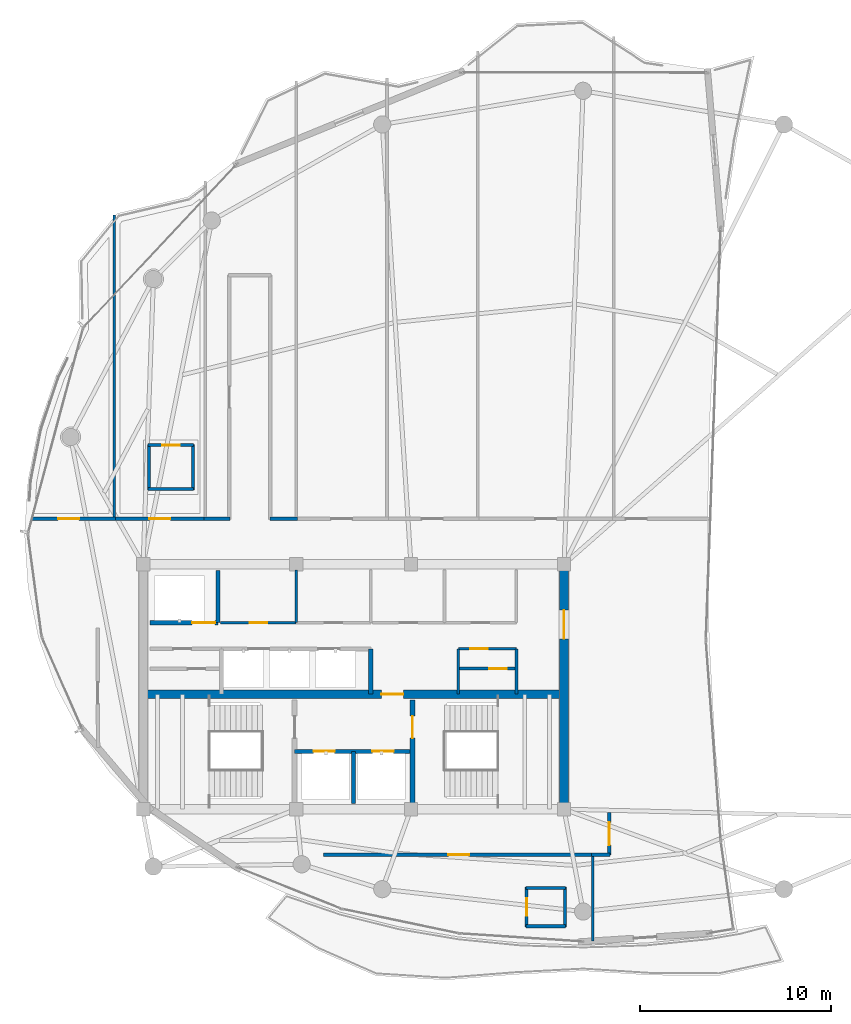
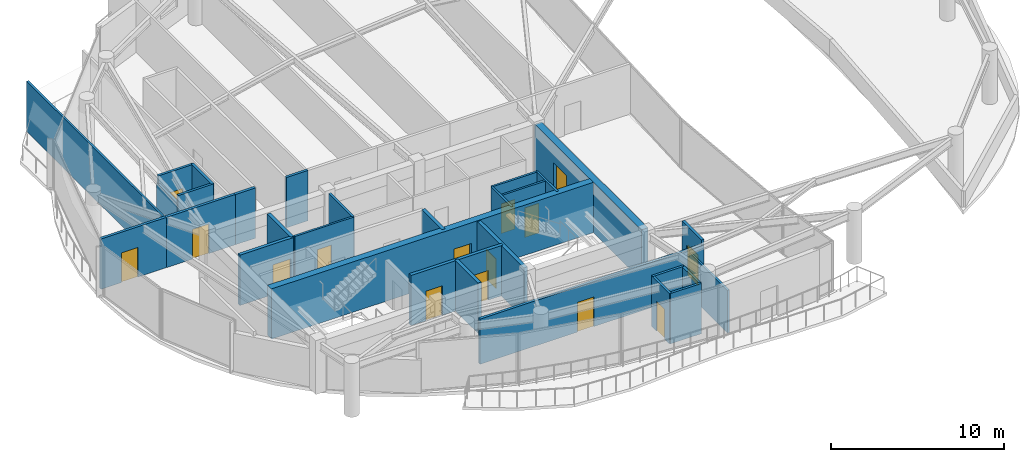
# One storey, part 19 of 23: 31 walls, 15 doors, 15 openings.
"""IFC4 building model written with IfcOpenShell, lengths in metres."""

from ifc_helpers import new_model, si_unit, direction, frame, frame_2d, origin, place, context, subcontext, project, spatial, rectangle, extrude, material, layer, layer_set, type_object, element, fill, save


model = new_model("IFC4")

# Units and contexts
model_context = context("Model", 3, precision=1e-05, world=origin(), true_north=direction((0.0, 1.0)))
body_context = subcontext(model_context, "Body", "Model", "MODEL_VIEW")
ifc_project = project(units=[si_unit("LENGTHUNIT", "METRE"), si_unit("AREAUNIT", "SQUARE_METRE"), si_unit("VOLUMEUNIT", "CUBIC_METRE"), si_unit("PLANEANGLEUNIT", "RADIAN"), si_unit("MASSUNIT", "GRAM", prefix="KILO")], contexts=[model_context])

# Site, building, storey
site_placement = place(None, origin())
site = spatial("IfcSite", under=ifc_project, at=site_placement, CompositionType="ELEMENT")
building_placement = place(site_placement, origin())
building = spatial("IfcBuilding", under=site, at=building_placement, Name="Kazevale Care Tower and Concert Hall", CompositionType="ELEMENT")
storey_placement = place(building_placement, frame((0.0, 0.0, 266.199951171875)))
storey = spatial("IfcBuildingStorey", under=building, at=storey_placement, Name="L70", CompositionType="ELEMENT", Elevation=266.199951171875)

# Wall, opening, door
ifc_material_1 = material(Name="Acoustic Gypsum on Steel Stud", Category="steel")
ifc_layer_1 = layer(ifc_material_1, 0.139892578125)
ifc_layer_set_1 = layer_set([ifc_layer_1], Name="Acoustic Gypsum on Steel Stud")
wall_type_1 = type_object("IfcWallType", Name="Acoustic Care & Suite Partition 140", PredefinedType="PARTITIONING", material=ifc_layer_set_1)
wall_1_placement = place(storey_placement, frame((26.050048828125, 33.35009765625, 0.0), z_axis=(0.0, 0.0, 1.0), x_axis=(1.0, 0.0, 0.0)))
wall_1 = element("IfcWall", 1, at=wall_1_placement, inside=storey, type_object=wall_type_1, Name="wall:L70:c_rpl1_s", PredefinedType="PARTITIONING", context=body_context, shape_type="SweptSolid", body=[
    extrude(rectangle(XDim=3.949951171875, YDim=0.139892578125, at=frame_2d((1.97509765625, 0.0))), origin(), (0.0, 0.0, 1.0), 3.56005859375),
])
opening_1_placement = place(wall_1_placement, frame((1.514892578125, 0.0, 0.0)))
opening_1 = element("IfcOpeningElement", 2, at=opening_1_placement, cuts=wall_1, Name="Opening ID-900", PredefinedType="OPENING", context=body_context, shape_type="SweptSolid", body=[
    extrude(rectangle(XDim=0.919921875, YDim=2.10009765625, at=frame_2d((0.4599609375, 1.050048828125))), frame((0.0, 0.079833984375, 0.0), z_axis=(0.0, -1.0, 0.0), x_axis=(1.0, 0.0, 0.0)), (0.0, 0.0, 1.0), 0.159912109375),
])
ifc_material_2 = material(Name="Oak Timber Fire Leaf", Category="wood")
door_type_1 = type_object("IfcDoorType", Name="Bathroom & Service Door 920x2100", OperationType="NOTDEFINED", PredefinedType="DOOR", material=ifc_material_2)
door_1_placement = place(opening_1_placement, origin())
door_1 = element("IfcDoor", 3, at=door_1_placement, inside=storey, type_object=door_type_1, Name="door:L70:d_rpl1", OperationType="SINGLE_SWING_LEFT", OverallHeight=2.10009765625, OverallWidth=0.919921875, PredefinedType="DOOR", context=body_context, shape_type="SweptSolid", body=[
    extrude(rectangle(XDim=0.919921875, YDim=2.10009765625, at=frame_2d((0.4599609375, 1.050048828125))), frame((0.0, 0.02490234375, 0.0), z_axis=(0.0, -1.0, 0.0), x_axis=(1.0, 0.0, 0.0)), (0.0, 0.0, 1.0), 0.050048828125),
])
fill(opening_1, door_1)

# Walls
wall_2_placement = place(storey_placement, frame((30.0, 33.35009765625, 0.0), z_axis=(0.0, 0.0, 1.0), x_axis=(0.0, 1.0, 0.0)))
element("IfcWall", 4, at=wall_2_placement, inside=storey, type_object=wall_type_1, Name="wall:L70:c_rpl_m", PredefinedType="PARTITIONING", context=body_context, shape_type="SweptSolid", body=[
    extrude(rectangle(XDim=2.75, YDim=0.139892578125, at=frame_2d((1.375, 0.0))), origin(), (0.0, 0.0, 1.0), 3.56005859375),
])
for number, where, z_axis, x_axis, name in (
    (5, (38.47998046875, 29.6201171875, 0.0), (0.0, 0.0, 1.0), (0.0, 1.0, 0.0), "wall:L70:kc_ew"),
    (6, (41.52001953125, 29.6201171875, 0.0), (0.0, 0.0, 1.0), (0.0, 1.0, 0.0), "wall:L70:kc_ee"),
):
    element("IfcWall", number, at=place(storey_placement, frame(where, z_axis=z_axis, x_axis=x_axis)), inside=storey, type_object=wall_type_1, Name=name, PredefinedType="PARTITIONING", context=body_context, shape_type="SweptSolid", body=[
        extrude(rectangle(XDim=2.35986328125, YDim=0.139892578125, at=frame_2d((1.179931640625, 0.0))), origin(), (0.0, 0.0, 1.0), 3.56005859375),
    ])

# Wall, opening, door
wall_3_placement = place(storey_placement, frame((38.47998046875, 30.949951171875, 0.0), z_axis=(0.0, 0.0, 1.0), x_axis=(1.0, 0.0, 0.0)))
wall_3 = element("IfcWall", 7, at=wall_3_placement, inside=storey, type_object=wall_type_1, Name="wall:L70:kc_em", PredefinedType="PARTITIONING", context=body_context, shape_type="SweptSolid", body=[
    extrude(rectangle(XDim=3.0400390625, YDim=0.139892578125, at=frame_2d((1.52001953125, 0.0))), origin(), (0.0, 0.0, 1.0), 3.56005859375),
])
opening_2_placement = place(wall_3_placement, frame((1.616943359375, 0.0, 0.0)))
opening_2 = element("IfcOpeningElement", 8, at=opening_2_placement, cuts=wall_3, Name="Opening ID-900", PredefinedType="OPENING", context=body_context, shape_type="SweptSolid", body=[
    extrude(rectangle(XDim=0.919921875, YDim=2.10009765625, at=frame_2d((0.4599609375, 1.050048828125))), frame((0.0, 0.079833984375, 0.0), z_axis=(0.0, -1.0, 0.0), x_axis=(1.0, 0.0, 0.0)), (0.0, 0.0, 1.0), 0.159912109375),
])
door_2_placement = place(opening_2_placement, origin())
door_2 = element("IfcDoor", 9, at=door_2_placement, inside=storey, type_object=door_type_1, Name="door:L70:d_kceb", OperationType="SINGLE_SWING_RIGHT", OverallHeight=2.10009765625, OverallWidth=0.919921875, PredefinedType="DOOR", context=body_context, shape_type="SweptSolid", body=[
    extrude(rectangle(XDim=0.919921875, YDim=2.10009765625, at=frame_2d((0.4599609375, 1.050048828125))), frame((0.0, 0.02490234375, 0.0), z_axis=(0.0, -1.0, 0.0), x_axis=(1.0, 0.0, 0.0)), (0.0, 0.0, 1.0), 0.050048828125),
])
fill(opening_2, door_2)

wall_4_placement = place(storey_placement, frame((38.47998046875, 31.97998046875, 0.0), z_axis=(0.0, 0.0, 1.0), x_axis=(1.0, 0.0, 0.0)))
wall_4 = element("IfcWall", 10, at=wall_4_placement, inside=storey, type_object=wall_type_1, Name="wall:L70:kc_en", PredefinedType="PARTITIONING", context=body_context, shape_type="SweptSolid", body=[
    extrude(rectangle(XDim=3.0400390625, YDim=0.139892578125, at=frame_2d((1.52001953125, 0.0))), origin(), (0.0, 0.0, 1.0), 3.56005859375),
])
opening_3_placement = place(wall_4_placement, frame((0.614013671875, 0.0, 0.0)))
opening_3 = element("IfcOpeningElement", 11, at=opening_3_placement, cuts=wall_4, Name="Opening ID-900", PredefinedType="OPENING", context=body_context, shape_type="SweptSolid", body=[
    extrude(rectangle(XDim=0.919921875, YDim=2.10009765625, at=frame_2d((0.4599609375, 1.050048828125))), frame((0.0, 0.079833984375, 0.0), z_axis=(0.0, -1.0, 0.0), x_axis=(1.0, 0.0, 0.0)), (0.0, 0.0, 1.0), 0.159912109375),
])
door_3_placement = place(opening_3_placement, origin())
door_3 = element("IfcDoor", 12, at=door_3_placement, inside=storey, type_object=door_type_1, Name="door:L70:d_kcet", OperationType="SINGLE_SWING_LEFT", OverallHeight=2.10009765625, OverallWidth=0.919921875, PredefinedType="DOOR", context=body_context, shape_type="SweptSolid", body=[
    extrude(rectangle(XDim=0.919921875, YDim=2.10009765625, at=frame_2d((0.4599609375, 1.050048828125))), frame((0.0, 0.02490234375, 0.0), z_axis=(0.0, -1.0, 0.0), x_axis=(1.0, 0.0, 0.0)), (0.0, 0.0, 1.0), 0.050048828125),
])
fill(opening_3, door_3)

# Walls
wall_5_placement = place(storey_placement, frame((20.5, 54.659912109375, 0.0), z_axis=(0.0, 0.0, 1.0), x_axis=(0.0, -1.0, 0.0)))
element("IfcWall", 13, at=wall_5_placement, inside=storey, type_object=wall_type_1, Name="wall:L70:auto_016", PredefinedType="PARTITIONING", context=body_context, shape_type="SweptSolid", body=[
    extrude(rectangle(XDim=15.914794921875, YDim=0.139892578125, at=frame_2d((7.95751953125, 0.0))), origin(), (0.0, 0.0, 1.0), 3.56005859375),
])
wall_6_placement = place(storey_placement, frame((45.5, 21.2548828125, 0.0), z_axis=(0.0, 0.0, 1.0), x_axis=(0.0, -1.0, 0.0)))
element("IfcWall", 14, at=wall_6_placement, inside=storey, type_object=wall_type_1, Name="wall:L70:auto_022", PredefinedType="PARTITIONING", context=body_context, shape_type="SweptSolid", body=[
    extrude(rectangle(XDim=4.532470703125, YDim=0.139892578125, at=frame_2d((2.26611328125, 0.0))), origin(), (0.0, 0.0, 1.0), 3.006103515625),
])

# Wall, opening, door
ifc_material_3 = material(Name="Concrete C50", Category="concrete")
ifc_layer_2 = layer(ifc_material_3, 0.449951171875)
ifc_layer_set_2 = layer_set([ifc_layer_2], Name="Concrete C50")
wall_type_2 = type_object("IfcWallType", Name="Core Shear Wall 450 C50", PredefinedType="SHEAR", material=ifc_layer_set_2)
wall_7_placement = place(storey_placement, frame((44.0, 23.824951171875, 0.0), z_axis=(0.0, 0.0, 1.0), x_axis=(0.0, 1.0, 0.0)))
wall_7 = element("IfcWall", 15, at=wall_7_placement, inside=storey, type_object=wall_type_2, Name="wall:L70:core:E", PredefinedType="SHEAR", context=body_context, shape_type="SweptSolid", body=[
    extrude(rectangle(XDim=12.35009765625, YDim=0.449951171875, at=frame_2d((6.175048828125, 0.0))), origin(), (0.0, 0.0, 1.0), 3.56005859375),
])
opening_4_placement = place(wall_7_placement, frame((8.675048828125, 0.0, 0.0)))
opening_4 = element("IfcOpeningElement", 16, at=opening_4_placement, cuts=wall_7, Name="Opening FD-60D", PredefinedType="OPENING", context=body_context, shape_type="SweptSolid", body=[
    extrude(rectangle(XDim=1.5, YDim=2.14990234375, at=frame_2d((0.75, 1.074951171875))), frame((0.0, 0.23486328125, 0.0), z_axis=(0.0, -1.0, 0.0), x_axis=(1.0, 0.0, 0.0)), (0.0, 0.0, 1.0), 0.469970703125),
])
door_type_2 = type_object("IfcDoorType", Name="Double Lobby & Auditorium Fire Door 1500x2150", OperationType="NOTDEFINED", PredefinedType="DOOR", material=ifc_material_2)
door_4_placement = place(opening_4_placement, origin())
door_4 = element("IfcDoor", 17, at=door_4_placement, inside=storey, type_object=door_type_2, Name="door:L70:core_east_out", OperationType="DOUBLE_DOOR_SINGLE_SWING", OverallHeight=2.14990234375, OverallWidth=1.5, PredefinedType="DOOR", context=body_context, shape_type="SweptSolid", body=[
    extrude(rectangle(XDim=1.5, YDim=2.14990234375, at=frame_2d((0.75, 1.074951171875))), frame((0.0, 0.02490234375, 0.0), z_axis=(0.0, -1.0, 0.0), x_axis=(1.0, 0.0, 0.0)), (0.0, 0.0, 1.0), 0.050048828125),
])
fill(opening_4, door_4)

wall_8_placement = place(storey_placement, frame((22.22509765625, 29.60009765625, 0.0), z_axis=(0.0, 0.0, 1.0), x_axis=(1.0, 0.0, 0.0)))
wall_8 = element("IfcWall", 18, at=wall_8_placement, inside=storey, type_object=wall_type_2, Name="wall:L70:core:M", PredefinedType="SHEAR", context=body_context, shape_type="SweptSolid", body=[
    extrude(rectangle(XDim=21.5498046875, YDim=0.449951171875, at=frame_2d((10.77490234375, 0.0))), origin(), (0.0, 0.0, 1.0), 3.56005859375),
])
opening_5_placement = place(wall_8_placement, frame((12.22509765625, 0.0, 0.0)))
opening_5 = element("IfcOpeningElement", 19, at=opening_5_placement, cuts=wall_8, Name="Opening FD-90", PredefinedType="OPENING", context=body_context, shape_type="SweptSolid", body=[
    extrude(rectangle(XDim=1.14990234375, YDim=2.10009765625, at=frame_2d((0.574951171875, 1.050048828125))), frame((0.0, 0.23486328125, 0.0), z_axis=(0.0, -1.0, 0.0), x_axis=(1.0, 0.0, 0.0)), (0.0, 0.0, 1.0), 0.469970703125),
])
ifc_material_4 = material(Name="Steel ASTM A572 Gr 50", Category="steel")
door_type_3 = type_object("IfcDoorType", Name="Pressurized Stair & Lobby Fire Door 1150x2100", OperationType="NOTDEFINED", PredefinedType="DOOR", material=ifc_material_4)
door_5_placement = place(opening_5_placement, origin())
door_5 = element("IfcDoor", 20, at=door_5_placement, inside=storey, type_object=door_type_3, Name="door:L70:ff_to_pax", OperationType="SINGLE_SWING_LEFT", OverallHeight=2.10009765625, OverallWidth=1.14990234375, PredefinedType="DOOR", context=body_context, shape_type="SweptSolid", body=[
    extrude(rectangle(XDim=1.14990234375, YDim=2.10009765625, at=frame_2d((0.574951171875, 1.050048828125))), frame((0.0, 0.02490234375, 0.0), z_axis=(0.0, -1.0, 0.0), x_axis=(1.0, 0.0, 0.0)), (0.0, 0.0, 1.0), 0.050048828125),
])
fill(opening_5, door_5)

# Wall, openings, doors
ifc_material_5 = material(Name="Concrete C40", Category="concrete")
ifc_layer_3 = layer(ifc_material_5, 0.219970703125)
ifc_layer_set_3 = layer_set([ifc_layer_3], Name="Concrete C40")
wall_type_3 = type_object("IfcWallType", Name="Elevator Hoistway Shaft Wall 220", PredefinedType="SOLIDWALL", material=ifc_layer_set_3)
wall_9_placement = place(storey_placement, frame((29.919921875, 26.6201171875, 0.0), z_axis=(0.0, 0.0, 1.0), x_axis=(1.0, 0.0, 0.0)))
wall_9 = element("IfcWall", 21, at=wall_9_placement, inside=storey, type_object=wall_type_3, Name="wall:L70:c_ffl_n", PredefinedType="SOLIDWALL", context=body_context, shape_type="SweptSolid", body=[
    extrude(rectangle(XDim=6.16015625, YDim=0.219970703125, at=frame_2d((3.080078125, 0.0))), origin(), (0.0, 0.0, 1.0), 3.56005859375),
])
opening_6_placement = place(wall_9_placement, frame((0.989990234375, 0.0, 0.0)))
opening_6 = element("IfcOpeningElement", 22, at=opening_6_placement, cuts=wall_9, Name="Opening LD-FF", PredefinedType="OPENING", context=body_context, shape_type="SweptSolid", body=[
    extrude(rectangle(XDim=1.10009765625, YDim=2.10009765625, at=frame_2d((0.550048828125, 1.050048828125))), frame((0.0, 0.119873046875, 0.0), z_axis=(0.0, -1.0, 0.0), x_axis=(1.0, 0.0, 0.0)), (0.0, 0.0, 1.0), 0.239990234375),
])
opening_7_placement = place(wall_9_placement, frame((4.070068359375, 0.0, 0.0)))
opening_7 = element("IfcOpeningElement", 23, at=opening_7_placement, cuts=wall_9, Name="Opening LD-FF", PredefinedType="OPENING", context=body_context, shape_type="SweptSolid", body=[
    extrude(rectangle(XDim=1.10009765625, YDim=2.10009765625, at=frame_2d((0.550048828125, 1.050048828125))), frame((0.0, 0.119873046875, 0.0), z_axis=(0.0, -1.0, 0.0), x_axis=(1.0, 0.0, 0.0)), (0.0, 0.0, 1.0), 0.239990234375),
])
ifc_material_6 = material(Name="Stainless Steel 316", Category="steel")
door_type_4 = type_object("IfcDoorType", Name="Emergency Lift Sliding Landing Door 1100x2100", OperationType="NOTDEFINED", PredefinedType="DOOR", material=ifc_material_6)
door_6_placement = place(opening_6_placement, origin())
door_6 = element("IfcDoor", 24, at=door_6_placement, inside=storey, type_object=door_type_4, Name="door:L70:ld_ffl1", OperationType="SLIDING_TO_LEFT", OverallHeight=2.10009765625, OverallWidth=1.10009765625, PredefinedType="DOOR", context=body_context, shape_type="SweptSolid", body=[
    extrude(rectangle(XDim=1.10009765625, YDim=2.10009765625, at=frame_2d((0.550048828125, 1.050048828125))), frame((0.0, 0.02490234375, 0.0), z_axis=(0.0, -1.0, 0.0), x_axis=(1.0, 0.0, 0.0)), (0.0, 0.0, 1.0), 0.050048828125),
])
fill(opening_6, door_6)
door_7_placement = place(opening_7_placement, origin())
door_7 = element("IfcDoor", 25, at=door_7_placement, inside=storey, type_object=door_type_4, Name="door:L70:ld_ffl2", OperationType="SLIDING_TO_RIGHT", OverallHeight=2.10009765625, OverallWidth=1.10009765625, PredefinedType="DOOR", context=body_context, shape_type="SweptSolid", body=[
    extrude(rectangle(XDim=1.10009765625, YDim=2.10009765625, at=frame_2d((0.550048828125, 1.050048828125))), frame((0.0, 0.02490234375, 0.0), z_axis=(0.0, -1.0, 0.0), x_axis=(1.0, 0.0, 0.0)), (0.0, 0.0, 1.0), 0.050048828125),
])
fill(opening_7, door_7)

# Walls
wall_10_placement = place(storey_placement, frame((33.0, 23.89990234375, 0.0), z_axis=(0.0, 0.0, 1.0), x_axis=(0.0, 1.0, 0.0)))
element("IfcWall", 26, at=wall_10_placement, inside=storey, type_object=wall_type_3, Name="wall:L70:c_ffl_m", PredefinedType="SOLIDWALL", context=body_context, shape_type="SweptSolid", body=[
    extrude(rectangle(XDim=2.72021484375, YDim=0.219970703125, at=frame_2d((1.360107421875, 0.0))), origin(), (0.0, 0.0, 1.0), 3.56005859375),
])
wall_11_placement = place(storey_placement, frame((25.919921875, 33.35009765625, 0.0), z_axis=(0.0, 0.0, 1.0), x_axis=(0.0, 1.0, 0.0)))
element("IfcWall", 27, at=wall_11_placement, inside=storey, type_object=wall_type_3, Name="wall:L70:c_svl_e", PredefinedType="SOLIDWALL", context=body_context, shape_type="SweptSolid", body=[
    extrude(rectangle(XDim=2.72998046875, YDim=0.219970703125, at=frame_2d((1.364990234375, 0.0))), origin(), (0.0, 0.0, 1.0), 3.56005859375),
])

# Wall, opening, door
wall_12_placement = place(storey_placement, frame((22.35009765625, 33.35009765625, 0.0), z_axis=(0.0, 0.0, 1.0), x_axis=(1.0, 0.0, 0.0)))
wall_12 = element("IfcWall", 28, at=wall_12_placement, inside=storey, type_object=wall_type_3, Name="wall:L70:c_svl_s", PredefinedType="SOLIDWALL", context=body_context, shape_type="SweptSolid", body=[
    extrude(rectangle(XDim=3.56982421875, YDim=0.219970703125, at=frame_2d((1.784912109375, 0.0))), origin(), (0.0, 0.0, 1.0), 3.56005859375),
])
opening_8_placement = place(wall_12_placement, frame((2.212890625, 0.0, 0.0)))
opening_8 = element("IfcOpeningElement", 29, at=opening_8_placement, cuts=wall_12, Name="Opening LD-SV", PredefinedType="OPENING", context=body_context, shape_type="SweptSolid", body=[
    extrude(rectangle(XDim=1.199951171875, YDim=2.10009765625, at=frame_2d((0.60009765625, 1.050048828125))), frame((0.0, 0.119873046875, 0.0), z_axis=(0.0, -1.0, 0.0), x_axis=(1.0, 0.0, 0.0)), (0.0, 0.0, 1.0), 0.239990234375),
])
door_type_5 = type_object("IfcDoorType", Name="Service Lift Sliding Landing Door 1200x2100", OperationType="NOTDEFINED", PredefinedType="DOOR", material=ifc_material_6)
door_8_placement = place(opening_8_placement, origin())
door_8 = element("IfcDoor", 30, at=door_8_placement, inside=storey, type_object=door_type_5, Name="door:L70:ld_svl1", OperationType="SLIDING_TO_LEFT", OverallHeight=2.10009765625, OverallWidth=1.199951171875, PredefinedType="DOOR", context=body_context, shape_type="SweptSolid", body=[
    extrude(rectangle(XDim=1.199951171875, YDim=2.10009765625, at=frame_2d((0.60009765625, 1.050048828125))), frame((0.0, 0.02490234375, 0.0), z_axis=(0.0, -1.0, 0.0), x_axis=(1.0, 0.0, 0.0)), (0.0, 0.0, 1.0), 0.050048828125),
])
fill(opening_8, door_8)

# Wall
wall_13_placement = place(storey_placement, frame((33.89990234375, 29.6201171875, 0.0), z_axis=(0.0, 0.0, 1.0), x_axis=(0.0, 1.0, 0.0)))
element("IfcWall", 31, at=wall_13_placement, inside=storey, type_object=wall_type_3, Name="wall:L70:c_ph_e", PredefinedType="SOLIDWALL", context=body_context, shape_type="SweptSolid", body=[
    extrude(rectangle(XDim=2.35986328125, YDim=0.219970703125, at=frame_2d((1.179931640625, 0.0))), origin(), (0.0, 0.0, 1.0), 3.56005859375),
])

# Wall, opening, door
ifc_material_7 = material(Name="Concrete C40 and Acoustic Gypsum", Category="concrete")
ifc_layer_4 = layer(ifc_material_7, 0.179931640625)
ifc_layer_set_4 = layer_set([ifc_layer_4], Name="Concrete C40 and Acoustic Gypsum")
wall_type_4 = type_object("IfcWallType", Name="Fire-Rated Corridor & Party Wall 180", PredefinedType="PARTITIONING", material=ifc_layer_set_4)
wall_14_placement = place(storey_placement, frame((16.1982421875, 38.77490234375, 0.0), z_axis=(0.0, 0.0, 1.0), x_axis=(1.0, 0.0, 0.0)))
wall_14 = element("IfcWall", 32, at=wall_14_placement, inside=storey, type_object=wall_type_4, Name="wall:L70:auto_001", PredefinedType="PARTITIONING", context=body_context, shape_type="SweptSolid", body=[
    extrude(rectangle(XDim=4.36669921875, YDim=0.179931640625, at=frame_2d((2.183349609375, 0.0))), origin(), (0.0, 0.0, 1.0), 3.56005859375),
])
opening_9_placement = place(wall_14_placement, frame((1.360107421875, 0.0, 0.0)))
opening_9 = element("IfcOpeningElement", 33, at=opening_9_placement, cuts=wall_14, Name="Opening ID-1100", PredefinedType="OPENING", context=body_context, shape_type="SweptSolid", body=[
    extrude(rectangle(XDim=1.10009765625, YDim=2.10009765625, at=frame_2d((0.550048828125, 1.050048828125))), frame((0.0, 0.099853515625, 0.0), z_axis=(0.0, -1.0, 0.0), x_axis=(1.0, 0.0, 0.0)), (0.0, 0.0, 1.0), 0.199951171875),
])
door_type_6 = type_object("IfcDoorType", Name="Care Bedroom Accessible Door 1100x2100", OperationType="NOTDEFINED", PredefinedType="DOOR", material=ifc_material_2)
door_9_placement = place(opening_9_placement, origin())
door_9 = element("IfcDoor", 34, at=door_9_placement, inside=storey, type_object=door_type_6, Name="door:L70:ad_001", OperationType="SINGLE_SWING_LEFT", OverallHeight=2.10009765625, OverallWidth=1.10009765625, PredefinedType="DOOR", context=body_context, shape_type="SweptSolid", body=[
    extrude(rectangle(XDim=1.10009765625, YDim=2.10009765625, at=frame_2d((0.550048828125, 1.050048828125))), frame((0.0, 0.02490234375, 0.0), z_axis=(0.0, -1.0, 0.0), x_axis=(1.0, 0.0, 0.0)), (0.0, 0.0, 1.0), 0.050048828125),
])
fill(opening_9, door_9)

wall_15_placement = place(storey_placement, frame((20.43505859375, 38.77490234375, 0.0), z_axis=(0.0, 0.0, 1.0), x_axis=(1.0, 0.0, 0.0)))
wall_15 = element("IfcWall", 35, at=wall_15_placement, inside=storey, type_object=wall_type_4, Name="wall:L70:auto_002", PredefinedType="PARTITIONING", context=body_context, shape_type="SweptSolid", body=[
    extrude(rectangle(XDim=4.8798828125, YDim=0.179931640625, at=frame_2d((2.43994140625, 0.0))), origin(), (0.0, 0.0, 1.0), 3.56005859375),
])
opening_10_placement = place(wall_15_placement, frame((1.889892578125, 0.0, 0.0)))
opening_10 = element("IfcOpeningElement", 36, at=opening_10_placement, cuts=wall_15, Name="Opening ID-1100", PredefinedType="OPENING", context=body_context, shape_type="SweptSolid", body=[
    extrude(rectangle(XDim=1.10009765625, YDim=2.10009765625, at=frame_2d((0.550048828125, 1.050048828125))), frame((0.0, 0.099853515625, 0.0), z_axis=(0.0, -1.0, 0.0), x_axis=(1.0, 0.0, 0.0)), (0.0, 0.0, 1.0), 0.199951171875),
])
door_10_placement = place(opening_10_placement, origin())
door_10 = element("IfcDoor", 37, at=door_10_placement, inside=storey, type_object=door_type_6, Name="door:L70:ad_002", OperationType="SINGLE_SWING_LEFT", OverallHeight=2.10009765625, OverallWidth=1.10009765625, PredefinedType="DOOR", context=body_context, shape_type="SweptSolid", body=[
    extrude(rectangle(XDim=1.10009765625, YDim=2.10009765625, at=frame_2d((0.550048828125, 1.050048828125))), frame((0.0, 0.02490234375, 0.0), z_axis=(0.0, -1.0, 0.0), x_axis=(1.0, 0.0, 0.0)), (0.0, 0.0, 1.0), 0.050048828125),
])
fill(opening_10, door_10)

# Walls
wall_16_placement = place(storey_placement, frame((28.6201171875, 38.77490234375, 0.0), z_axis=(0.0, 0.0, 1.0), x_axis=(1.0, 0.0, 0.0)))
element("IfcWall", 38, at=wall_16_placement, inside=storey, type_object=wall_type_4, Name="wall:L70:auto_006", PredefinedType="PARTITIONING", context=body_context, shape_type="SweptSolid", body=[
    extrude(rectangle(XDim=1.44482421875, YDim=0.179931640625, at=frame_2d((0.722412109375, 0.0))), origin(), (0.0, 0.0, 1.0), 3.56005859375),
])
wall_17_placement = place(storey_placement, frame((25.18505859375, 38.77490234375, 0.0), z_axis=(0.0, 0.0, 1.0), x_axis=(1.0, 0.0, 0.0)))
element("IfcWall", 39, at=wall_17_placement, inside=storey, type_object=wall_type_4, Name="wall:L70:auto_007", PredefinedType="PARTITIONING", context=body_context, shape_type="SweptSolid", body=[
    extrude(rectangle(XDim=1.344970703125, YDim=0.179931640625, at=frame_2d((0.67236328125, 0.0))), origin(), (0.0, 0.0, 1.0), 3.56005859375),
])

# Wall, opening, door
wall_18_placement = place(storey_placement, frame((45.56494140625, 21.22509765625, 0.0), z_axis=(0.0, 0.0, 1.0), x_axis=(-1.0, 0.0, 0.0)))
wall_18 = element("IfcWall", 40, at=wall_18_placement, inside=storey, type_object=wall_type_4, Name="wall:L70:auto_012", PredefinedType="PARTITIONING", context=body_context, shape_type="SweptSolid", body=[
    extrude(rectangle(XDim=14.1298828125, YDim=0.179931640625, at=frame_2d((7.06494140625, 0.0))), origin(), (0.0, 0.0, 1.0), 3.196044921875),
])
opening_11_placement = place(wall_18_placement, frame((6.514892578125, 0.0, 0.0)))
opening_11 = element("IfcOpeningElement", 41, at=opening_11_placement, cuts=wall_18, Name="Opening ID-1100", PredefinedType="OPENING", context=body_context, shape_type="SweptSolid", body=[
    extrude(rectangle(XDim=1.10009765625, YDim=2.10009765625, at=frame_2d((0.550048828125, 1.050048828125))), frame((0.0, 0.099853515625, 0.0), z_axis=(0.0, -1.0, 0.0), x_axis=(1.0, 0.0, 0.0)), (0.0, 0.0, 1.0), 0.199951171875),
])
door_11_placement = place(opening_11_placement, origin())
door_11 = element("IfcDoor", 42, at=door_11_placement, inside=storey, type_object=door_type_6, Name="door:L70:ad_012", OperationType="SINGLE_SWING_LEFT", OverallHeight=2.10009765625, OverallWidth=1.10009765625, PredefinedType="DOOR", context=body_context, shape_type="SweptSolid", body=[
    extrude(rectangle(XDim=1.10009765625, YDim=2.10009765625, at=frame_2d((0.550048828125, 1.050048828125))), frame((0.0, 0.02490234375, 0.0), z_axis=(0.0, -1.0, 0.0), x_axis=(1.0, 0.0, 0.0)), (0.0, 0.0, 1.0), 0.050048828125),
])
fill(opening_11, door_11)

wall_19_placement = place(storey_placement, frame((46.375, 23.43994140625, 0.0), z_axis=(0.0, 0.0, 1.0), x_axis=(0.0, -1.0, 0.0)))
wall_19 = element("IfcWall", 43, at=wall_19_placement, inside=storey, type_object=wall_type_4, Name="wall:L70:auto_013", PredefinedType="PARTITIONING", context=body_context, shape_type="SweptSolid", body=[
    extrude(rectangle(XDim=2.244873046875, YDim=0.179931640625, at=frame_2d((1.12255859375, 0.0))), origin(), (0.0, 0.0, 1.0), 3.56005859375),
])
opening_12_placement = place(wall_19_placement, frame((0.52294921875, 0.0, 0.0)))
opening_12 = element("IfcOpeningElement", 44, at=opening_12_placement, cuts=wall_19, Name="Opening ID-1200", PredefinedType="OPENING", context=body_context, shape_type="SweptSolid", body=[
    extrude(rectangle(XDim=1.199951171875, YDim=2.14990234375, at=frame_2d((0.60009765625, 1.074951171875))), frame((0.0, 0.099853515625, 0.0), z_axis=(0.0, -1.0, 0.0), x_axis=(1.0, 0.0, 0.0)), (0.0, 0.0, 1.0), 0.199951171875),
])
door_type_7 = type_object("IfcDoorType", Name="Clinical & Therapy Door 1200x2150", OperationType="NOTDEFINED", PredefinedType="DOOR", material=ifc_material_2)
door_12_placement = place(opening_12_placement, origin())
door_12 = element("IfcDoor", 45, at=door_12_placement, inside=storey, type_object=door_type_7, Name="door:L70:ad_013", OperationType="SINGLE_SWING_LEFT", OverallHeight=2.14990234375, OverallWidth=1.199951171875, PredefinedType="DOOR", context=body_context, shape_type="SweptSolid", body=[
    extrude(rectangle(XDim=1.199951171875, YDim=2.14990234375, at=frame_2d((0.60009765625, 1.074951171875))), frame((0.0, 0.02490234375, 0.0), z_axis=(0.0, -1.0, 0.0), x_axis=(1.0, 0.0, 0.0)), (0.0, 0.0, 1.0), 0.050048828125),
])
fill(opening_12, door_12)

# Walls
wall_20_placement = place(storey_placement, frame((46.405029296875, 21.22509765625, 0.0), z_axis=(0.0, 0.0, 1.0), x_axis=(-1.0, 0.0, 0.0)))
element("IfcWall", 46, at=wall_20_placement, inside=storey, type_object=wall_type_4, Name="wall:L70:auto_014", PredefinedType="PARTITIONING", context=body_context, shape_type="SweptSolid", body=[
    extrude(rectangle(XDim=0.969970703125, YDim=0.179931640625, at=frame_2d((0.48486328125, 0.0))), origin(), (0.0, 0.0, 1.0), 3.196044921875),
])
ifc_layer_5 = layer(ifc_material_1, 0.159912109375)
ifc_layer_set_5 = layer_set([ifc_layer_5], Name="Acoustic Gypsum on Steel Stud")
wall_type_5 = type_object("IfcWallType", Name="Moisture-Resistant Bathroom Plumbing Wall 160", PredefinedType="PLUMBINGWALL", material=ifc_layer_set_5)
wall_21_placement = place(storey_placement, frame((22.260009765625, 40.324951171875, 0.0), z_axis=(0.0, 0.0, 1.0), x_axis=(1.0, 0.0, 0.0)))
element("IfcWall", 47, at=wall_21_placement, inside=storey, type_object=wall_type_5, Name="wall:L70:nb2a_ens_ws", PredefinedType="PLUMBINGWALL", context=body_context, shape_type="SweptSolid", body=[
    extrude(rectangle(XDim=2.3798828125, YDim=0.159912109375, at=frame_2d((1.18994140625, 0.0))), origin(), (0.0, 0.0, 1.0), 3.56005859375),
])

# Wall, opening, door
wall_22_placement = place(storey_placement, frame((22.260009765625, 42.625, 0.0), z_axis=(0.0, 0.0, 1.0), x_axis=(1.0, 0.0, 0.0)))
wall_22 = element("IfcWall", 48, at=wall_22_placement, inside=storey, type_object=wall_type_5, Name="wall:L70:nb2a_ens_wn", PredefinedType="PLUMBINGWALL", context=body_context, shape_type="SweptSolid", body=[
    extrude(rectangle(XDim=2.3798828125, YDim=0.159912109375, at=frame_2d((1.18994140625, 0.0))), origin(), (0.0, 0.0, 1.0), 3.56005859375),
])
opening_13_placement = place(wall_22_placement, frame((0.739990234375, 0.0, 0.0)))
opening_13 = element("IfcOpeningElement", 49, at=opening_13_placement, cuts=wall_22, Name="Opening ID-900", PredefinedType="OPENING", context=body_context, shape_type="SweptSolid", body=[
    extrude(rectangle(XDim=0.919921875, YDim=2.10009765625, at=frame_2d((0.4599609375, 1.050048828125))), frame((0.0, 0.08984375, 0.0), z_axis=(0.0, -1.0, 0.0), x_axis=(1.0, 0.0, 0.0)), (0.0, 0.0, 1.0), 0.179931640625),
])
door_13_placement = place(opening_13_placement, origin())
door_13 = element("IfcDoor", 50, at=door_13_placement, inside=storey, type_object=door_type_1, Name="door:L70:nb2a_ens_d", OperationType="SINGLE_SWING_RIGHT", OverallHeight=2.10009765625, OverallWidth=0.919921875, PredefinedType="DOOR", context=body_context, shape_type="SweptSolid", body=[
    extrude(rectangle(XDim=0.919921875, YDim=2.10009765625, at=frame_2d((0.4599609375, 1.050048828125))), frame((0.0, 0.02490234375, 0.0), z_axis=(0.0, -1.0, 0.0), x_axis=(1.0, 0.0, 0.0)), (0.0, 0.0, 1.0), 0.050048828125),
])
fill(opening_13, door_13)

# Walls
wall_23_placement = place(storey_placement, frame((22.300048828125, 40.284912109375, 0.0), z_axis=(0.0, 0.0, 1.0), x_axis=(0.0, 1.0, 0.0)))
element("IfcWall", 51, at=wall_23_placement, inside=storey, type_object=wall_type_5, Name="wall:L70:nb2a_ens_ww", PredefinedType="PLUMBINGWALL", context=body_context, shape_type="SweptSolid", body=[
    extrude(rectangle(XDim=2.380126953125, YDim=0.159912109375, at=frame_2d((1.18994140625, 0.0))), origin(), (0.0, 0.0, 1.0), 3.006103515625),
])
wall_24_placement = place(storey_placement, frame((24.60009765625, 40.284912109375, 0.0), z_axis=(0.0, 0.0, 1.0), x_axis=(0.0, 1.0, 0.0)))
element("IfcWall", 52, at=wall_24_placement, inside=storey, type_object=wall_type_5, Name="wall:L70:nb2a_ens_we", PredefinedType="PLUMBINGWALL", context=body_context, shape_type="SweptSolid", body=[
    extrude(rectangle(XDim=2.380126953125, YDim=0.159912109375, at=frame_2d((1.18994140625, 0.0))), origin(), (0.0, 0.0, 1.0), 3.56005859375),
])
for number, where, z_axis, x_axis, name in (
    (53, (42.010009765625, 17.48193359375, 0.0), (0.0, 0.0, 1.0), (1.0, 0.0, 0.0), "wall:L70:sb2_ens_ws"),
    (54, (42.010009765625, 19.48193359375, 0.0), (0.0, 0.0, 1.0), (1.0, 0.0, 0.0), "wall:L70:sb2_ens_wn"),
):
    element("IfcWall", number, at=place(storey_placement, frame(where, z_axis=z_axis, x_axis=x_axis)), inside=storey, type_object=wall_type_5, Name=name, PredefinedType="PLUMBINGWALL", context=body_context, shape_type="SweptSolid", body=[
        extrude(rectangle(XDim=2.080078125, YDim=0.159912109375, at=frame_2d((1.0400390625, 0.0))), origin(), (0.0, 0.0, 1.0), 3.56005859375),
    ])

# Wall, opening, door
wall_25_placement = place(storey_placement, frame((42.050048828125, 17.44189453125, 0.0), z_axis=(0.0, 0.0, 1.0), x_axis=(0.0, 1.0, 0.0)))
wall_25 = element("IfcWall", 55, at=wall_25_placement, inside=storey, type_object=wall_type_5, Name="wall:L70:sb2_ens_ww", PredefinedType="PLUMBINGWALL", context=body_context, shape_type="SweptSolid", body=[
    extrude(rectangle(XDim=2.080078125, YDim=0.159912109375, at=frame_2d((1.0400390625, 0.0))), origin(), (0.0, 0.0, 1.0), 3.56005859375),
])
opening_14_placement = place(wall_25_placement, frame((0.590087890625, 0.0, 0.0)))
opening_14 = element("IfcOpeningElement", 56, at=opening_14_placement, cuts=wall_25, Name="Opening ID-900", PredefinedType="OPENING", context=body_context, shape_type="SweptSolid", body=[
    extrude(rectangle(XDim=0.919921875, YDim=2.10009765625, at=frame_2d((0.4599609375, 1.050048828125))), frame((0.0, 0.08984375, 0.0), z_axis=(0.0, -1.0, 0.0), x_axis=(1.0, 0.0, 0.0)), (0.0, 0.0, 1.0), 0.179931640625),
])
door_14_placement = place(opening_14_placement, origin())
door_14 = element("IfcDoor", 57, at=door_14_placement, inside=storey, type_object=door_type_1, Name="door:L70:sb2_ens_d", OperationType="SINGLE_SWING_RIGHT", OverallHeight=2.10009765625, OverallWidth=0.919921875, PredefinedType="DOOR", context=body_context, shape_type="SweptSolid", body=[
    extrude(rectangle(XDim=0.919921875, YDim=2.10009765625, at=frame_2d((0.4599609375, 1.050048828125))), frame((0.0, 0.02490234375, 0.0), z_axis=(0.0, -1.0, 0.0), x_axis=(1.0, 0.0, 0.0)), (0.0, 0.0, 1.0), 0.050048828125),
])
fill(opening_14, door_14)

# Wall
wall_26_placement = place(storey_placement, frame((44.050048828125, 17.44189453125, 0.0), z_axis=(0.0, 0.0, 1.0), x_axis=(0.0, 1.0, 0.0)))
element("IfcWall", 58, at=wall_26_placement, inside=storey, type_object=wall_type_5, Name="wall:L70:sb2_ens_we", PredefinedType="PLUMBINGWALL", context=body_context, shape_type="SweptSolid", body=[
    extrude(rectangle(XDim=2.080078125, YDim=0.159912109375, at=frame_2d((1.0400390625, 0.0))), origin(), (0.0, 0.0, 1.0), 3.56005859375),
])

# Wall, opening, door
ifc_layer_6 = layer(ifc_material_5, 0.25)
ifc_layer_set_6 = layer_set([ifc_layer_6], Name="Concrete C40")
wall_type_6 = type_object("IfcWallType", Name="Pressurized Stair Shaft Wall 250", PredefinedType="SOLIDWALL", material=ifc_layer_set_6)
wall_27_placement = place(storey_placement, frame((36.080078125, 23.89990234375, 0.0), z_axis=(0.0, 0.0, 1.0), x_axis=(0.0, 1.0, 0.0)))
wall_27 = element("IfcWall", 59, at=wall_27_placement, inside=storey, type_object=wall_type_6, Name="wall:L70:c_st2_w", PredefinedType="SOLIDWALL", context=body_context, shape_type="SweptSolid", body=[
    extrude(rectangle(XDim=5.400146484375, YDim=0.25, at=frame_2d((2.7001953125, 0.0))), origin(), (0.0, 0.0, 1.0), 3.56005859375),
])
opening_15_placement = place(wall_27_placement, frame((3.4208984375, 0.0, 0.0)))
opening_15 = element("IfcOpeningElement", 60, at=opening_15_placement, cuts=wall_27, Name="Opening FD-90", PredefinedType="OPENING", context=body_context, shape_type="SweptSolid", body=[
    extrude(rectangle(XDim=1.14990234375, YDim=2.10009765625, at=frame_2d((0.574951171875, 1.050048828125))), frame((0.0, 0.135009765625, 0.0), z_axis=(0.0, -1.0, 0.0), x_axis=(1.0, 0.0, 0.0)), (0.0, 0.0, 1.0), 0.27001953125),
])
door_15_placement = place(opening_15_placement, origin())
door_15 = element("IfcDoor", 61, at=door_15_placement, inside=storey, type_object=door_type_3, Name="door:L70:st2", OperationType="SINGLE_SWING_LEFT", OverallHeight=2.10009765625, OverallWidth=1.14990234375, PredefinedType="DOOR", context=body_context, shape_type="SweptSolid", body=[
    extrude(rectangle(XDim=1.14990234375, YDim=2.10009765625, at=frame_2d((0.574951171875, 1.050048828125))), frame((0.0, 0.02490234375, 0.0), z_axis=(0.0, -1.0, 0.0), x_axis=(1.0, 0.0, 0.0)), (0.0, 0.0, 1.0), 0.050048828125),
])
fill(opening_15, door_15)

save(model, "model.ifc")
